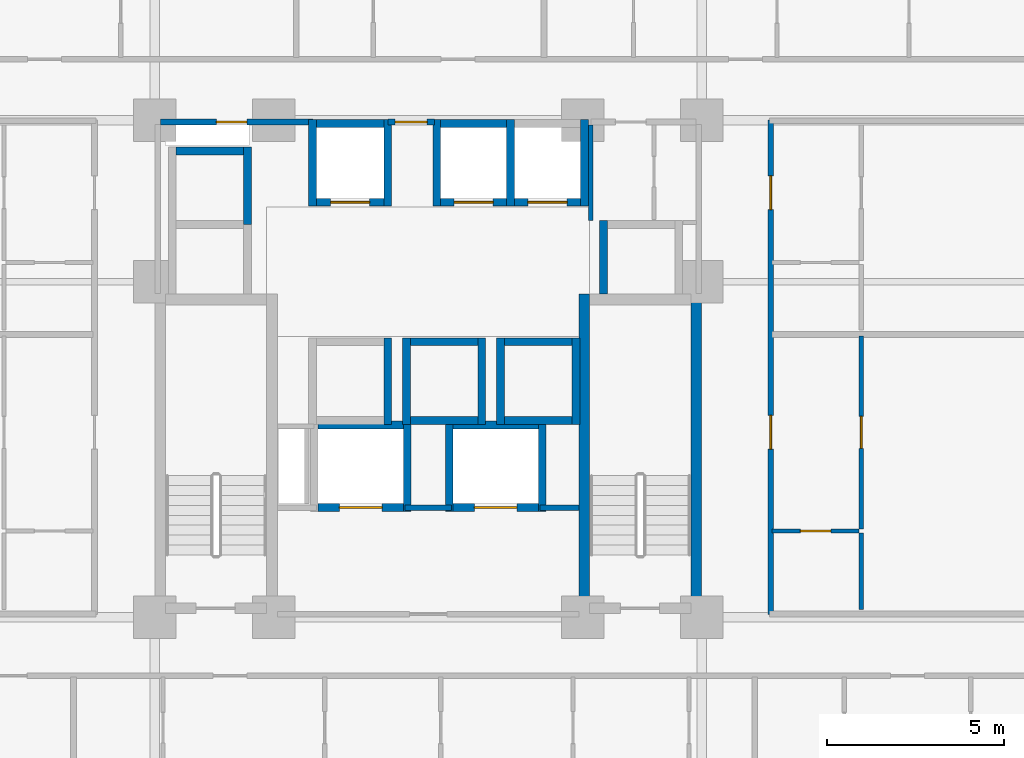
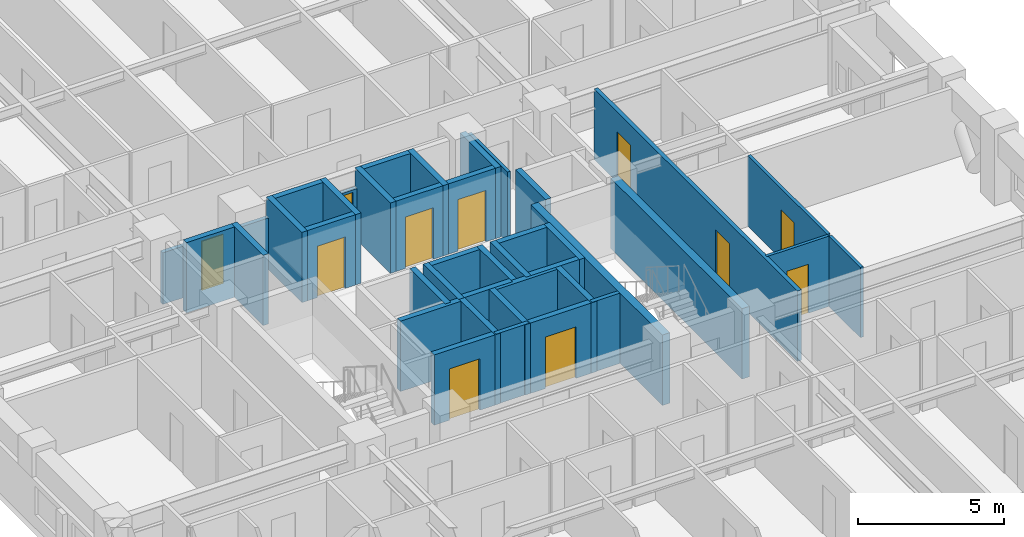
# One storey, part 5 of 13: 40 walls, 11 doors, 11 openings.
"""IFC4 building model written with IfcOpenShell, lengths in metres."""

from ifc_helpers import new_model, si_unit, derived_unit, direction, frame, frame_2d, origin, place, context, subcontext, project, spatial, rectangle, extrude, material, layer, layer_set, type_object, element, fill, save


model = new_model("IFC4")

# Units and contexts
model_context = context("Model", 3, precision=1e-05, world=origin(), true_north=direction((0.0, 1.0)))
body_context = subcontext(model_context, "Body", "Model", "MODEL_VIEW")
ifc_project = project(units=[si_unit("LENGTHUNIT", "METRE"), si_unit("AREAUNIT", "SQUARE_METRE"), si_unit("VOLUMEUNIT", "CUBIC_METRE"), si_unit("PLANEANGLEUNIT", "RADIAN"), si_unit("MASSUNIT", "GRAM", prefix="KILO"), derived_unit("THERMALTRANSMITTANCEUNIT", [(si_unit("MASSUNIT", "GRAM", prefix="KILO"), 1), (si_unit("TIMEUNIT", "SECOND"), -3), (si_unit("THERMODYNAMICTEMPERATUREUNIT", "KELVIN"), -1)])], contexts=[model_context])

# Site, building, storey
site_placement = place(None, origin())
site = spatial("IfcSite", under=ifc_project, at=site_placement, CompositionType="ELEMENT")
building_placement = place(site_placement, origin())
building = spatial("IfcBuilding", under=site, at=building_placement, Name="Korrvale Station Residences", CompositionType="ELEMENT")
storey_placement = place(building_placement, frame((0.0, 0.0, 32.199951171875)))
storey = spatial("IfcBuildingStorey", under=building, at=storey_placement, Name="L07", CompositionType="ELEMENT", Elevation=32.199951171875)

# Walls
ifc_material_1 = material(Name="Concrete C70/85", Category="concrete")
ifc_layer_1 = layer(ifc_material_1, 0.300048828125, Name="Concrete C70/85")
ifc_layer_set_1 = layer_set([ifc_layer_1], Name="Concrete C70/85")
wall_type_1 = type_object("IfcWallType", Name="WAL-CORE-300-C70", PredefinedType="SHEAR", material=ifc_layer_set_1)
for number, where, z_axis, x_axis, name in (
    (1, (29.89990234375, 15.10009765625, 0.0), (0.0, 0.0, 1.0), (0.0, 1.0, 0.0), "L07 ST-2 Core Shear Wall West"),
    (2, (33.050048828125, 15.10009765625, 0.0), (0.0, 0.0, 1.0), (0.0, 1.0, 0.0), "L07 ST-2 Core Shear Wall East"),
):
    element("IfcWall", number, at=place(storey_placement, frame(where, z_axis=z_axis, x_axis=x_axis)), inside=storey, type_object=wall_type_1, Name=name, PredefinedType="SHEAR", context=body_context, shape_type="SweptSolid", body=[
        extrude(rectangle(XDim=9.0, YDim=0.300048828125, at=frame_2d((4.5, 0.0))), origin(), (0.0, 0.0, 1.0), 2.93994140625),
    ])
ifc_material_2 = material(Name="Acoustic steel-stud gypsum board partition", Category="steel")
ifc_layer_2 = layer(ifc_material_2, 0.1201171875, Name="Acoustic steel-stud gypsum board partition")
ifc_layer_set_2 = layer_set([ifc_layer_2], Name="Acoustic steel-stud gypsum board partition")
wall_type_2 = type_object("IfcWallType", Name="WAL-PART-125", PredefinedType="PARTITIONING", material=ifc_layer_set_2)
wall_1_placement = place(storey_placement, frame((30.080078125, 26.179931640625, 0.0), z_axis=(0.0, 0.0, 1.0), x_axis=(0.0, 1.0, 0.0)))
element("IfcWall", 3, at=wall_1_placement, inside=storey, type_object=wall_type_2, Name="L07 Core Partition CW-CS-W", PredefinedType="PARTITIONING", context=body_context, shape_type="SweptSolid", body=[
    extrude(rectangle(XDim=2.68017578125, YDim=0.1201171875, at=frame_2d((1.340087890625, 0.0))), origin(), (0.0, 0.0, 1.0), 2.93994140625),
])

# Wall, opening, door
wall_2_placement = place(storey_placement, frame((35.18994140625, 17.428955078125, 0.0), z_axis=(0.0, 0.0, 1.0), x_axis=(1.0, 0.0, 0.0)))
wall_2 = element("IfcWall", 4, at=wall_2_placement, inside=storey, type_object=wall_type_2, Name="L07 Suite Partition U09-H01", PredefinedType="PARTITIONING", context=body_context, shape_type="SweptSolid", body=[
    extrude(rectangle(XDim=2.449951171875, YDim=0.1201171875, at=frame_2d((1.22509765625, 0.0))), origin(), (0.0, 0.0, 1.0), 2.93994140625),
])
opening_1_placement = place(wall_2_placement, frame((0.794921875, 0.0, 0.0)))
opening_1 = element("IfcOpeningElement", 5, at=opening_1_placement, cuts=wall_2, Name="Opening DB-860", PredefinedType="OPENING", context=body_context, shape_type="SweptSolid", body=[
    extrude(rectangle(XDim=0.860107421875, YDim=2.050048828125, at=frame_2d((0.43017578125, 1.02490234375))), frame((0.0, 0.070068359375, 0.0), z_axis=(0.0, -1.0, 0.0), x_axis=(1.0, 0.0, 0.0)), (0.0, 0.0, 1.0), 0.14013671875),
])
ifc_material_3 = material(Name="Moisture-resistant solid-core bathroom door", Category="timber")
door_type_1 = type_object("IfcDoorType", Name="DR-BATH-860", OperationType="NOTDEFINED", PredefinedType="DOOR", material=ifc_material_3)
door_1_placement = place(opening_1_placement, origin())
door_1 = element("IfcDoor", 6, at=door_1_placement, inside=storey, type_object=door_type_1, Name="L07 Apartment 1BR L07-U09 Bathroom Door", OperationType="SINGLE_SWING_RIGHT", OverallHeight=2.050048828125, OverallWidth=0.860107421875, PredefinedType="DOOR", context=body_context, shape_type="SweptSolid", body=[
    extrude(rectangle(XDim=0.860107421875, YDim=2.050048828125, at=frame_2d((0.43017578125, 1.02490234375))), frame((0.0, 0.02490234375, 0.0), z_axis=(0.0, -1.0, 0.0), x_axis=(1.0, 0.0, 0.0)), (0.0, 0.0, 1.0), 0.050048828125),
])
fill(opening_1, door_1)

# Wall
wall_3_placement = place(storey_placement, frame((37.699951171875, 15.2099609375, 0.0), z_axis=(0.0, 0.0, 1.0), x_axis=(0.0, 1.0, 0.0)))
element("IfcWall", 7, at=wall_3_placement, inside=storey, type_object=wall_type_2, Name="L07 Suite Partition U09-V02", PredefinedType="PARTITIONING", context=body_context, shape_type="SweptSolid", body=[
    extrude(rectangle(XDim=2.158935546875, YDim=0.1201171875, at=frame_2d((1.07958984375, 0.0))), origin(), (0.0, 0.0, 1.0), 2.93994140625),
])

# Wall, opening, door
wall_4_placement = place(storey_placement, frame((37.699951171875, 17.489013671875, 0.0), z_axis=(0.0, 0.0, 1.0), x_axis=(0.0, 1.0, 0.0)))
wall_4 = element("IfcWall", 8, at=wall_4_placement, inside=storey, type_object=wall_type_2, Name="L07 Suite Partition U09-V12", PredefinedType="PARTITIONING", context=body_context, shape_type="SweptSolid", body=[
    extrude(rectangle(XDim=5.43310546875, YDim=0.1201171875, at=frame_2d((2.716552734375, 0.0))), origin(), (0.0, 0.0, 1.0), 2.93994140625),
])
opening_2_placement = place(wall_4_placement, frame((2.26611328125, 0.0, 0.0)))
opening_2 = element("IfcOpeningElement", 9, at=opening_2_placement, cuts=wall_4, Name="Opening DI-900", PredefinedType="OPENING", context=body_context, shape_type="SweptSolid", body=[
    extrude(rectangle(XDim=0.89990234375, YDim=2.050048828125, at=frame_2d((0.449951171875, 1.02490234375))), frame((0.0, 0.070068359375, 0.0), z_axis=(0.0, -1.0, 0.0), x_axis=(1.0, 0.0, 0.0)), (0.0, 0.0, 1.0), 0.14013671875),
])
ifc_material_4 = material(Name="Painted solid-core timber interior room door", Category="wood")
door_type_2 = type_object("IfcDoorType", Name="DR-INT-900", OperationType="NOTDEFINED", PredefinedType="DOOR", material=ifc_material_4)
door_2_placement = place(opening_2_placement, origin())
door_2 = element("IfcDoor", 10, at=door_2_placement, inside=storey, type_object=door_type_2, Name="L07 Apartment 1BR L07-U09 Kitchen Door", OperationType="SINGLE_SWING_LEFT", OverallHeight=2.050048828125, OverallWidth=0.89990234375, PredefinedType="DOOR", context=body_context, shape_type="SweptSolid", body=[
    extrude(rectangle(XDim=0.89990234375, YDim=2.050048828125, at=frame_2d((0.449951171875, 1.02490234375))), frame((0.0, 0.02490234375, 0.0), z_axis=(0.0, -1.0, 0.0), x_axis=(1.0, 0.0, 0.0)), (0.0, 0.0, 1.0), 0.050048828125),
])
fill(opening_2, door_2)

# Walls
ifc_material_5 = material(Name="Fire-rated twin-stud gypsum and mineral wool shaftwall assembly", Category="gypsum")
ifc_layer_3 = layer(ifc_material_5, 0.159912109375, Name="Fire-rated twin-stud gypsum and mineral wool shaftwall assembly")
ifc_layer_set_3 = layer_set([ifc_layer_3], Name="Fire-rated twin-stud gypsum and mineral wool shaftwall assembly")
wall_type_3 = type_object("IfcWallType", Name="WAL-PART-200", PredefinedType="PARTITIONING", material=ifc_layer_set_3)
wall_5_placement = place(storey_placement, frame((24.85009765625, 18.080078125, 0.0), z_axis=(0.0, 0.0, 1.0), x_axis=(1.0, 0.0, 0.0)))
element("IfcWall", 11, at=wall_5_placement, inside=storey, type_object=wall_type_3, Name="L07 Core Partition CW-FFL-N2", PredefinedType="PARTITIONING", context=body_context, shape_type="SweptSolid", body=[
    extrude(rectangle(XDim=1.2998046875, YDim=0.159912109375, at=frame_2d((0.64990234375, 0.0))), origin(), (0.0, 0.0, 1.0), 2.93994140625),
])
wall_6_placement = place(storey_placement, frame((28.64990234375, 18.080078125, 0.0), z_axis=(0.0, 0.0, 1.0), x_axis=(1.0, 0.0, 0.0)))
element("IfcWall", 12, at=wall_6_placement, inside=storey, type_object=wall_type_3, Name="L07 Core Partition CW-FFL-N3", PredefinedType="PARTITIONING", context=body_context, shape_type="SweptSolid", body=[
    extrude(rectangle(XDim=1.10009765625, YDim=0.159912109375, at=frame_2d((0.550048828125, 0.0))), origin(), (0.0, 0.0, 1.0), 2.93994140625),
])

# Wall, opening, door
wall_7_placement = place(storey_placement, frame((24.360107421875, 28.949951171875, 0.0), z_axis=(0.0, 0.0, 1.0), x_axis=(1.0, 0.0, 0.0)))
wall_7 = element("IfcWall", 13, at=wall_7_placement, inside=storey, type_object=wall_type_3, Name="L07 Core Partition CW-LLOB-N", PredefinedType="PARTITIONING", context=body_context, shape_type="SweptSolid", body=[
    extrude(rectangle(XDim=1.31982421875, YDim=0.159912109375, at=frame_2d((0.659912109375, 0.0))), origin(), (0.0, 0.0, 1.0), 2.155029296875),
])
opening_3_placement = place(wall_7_placement, frame((0.2099609375, 0.0, 0.0)))
opening_3 = element("IfcOpeningElement", 14, at=opening_3_placement, cuts=wall_7, Name="Opening DI-900", PredefinedType="OPENING", context=body_context, shape_type="SweptSolid", body=[
    extrude(rectangle(XDim=0.89990234375, YDim=2.050048828125, at=frame_2d((0.449951171875, 1.02490234375))), frame((0.0, 0.08984375, 0.0), z_axis=(0.0, -1.0, 0.0), x_axis=(1.0, 0.0, 0.0)), (0.0, 0.0, 1.0), 0.179931640625),
])
door_3_placement = place(opening_3_placement, origin())
door_3 = element("IfcDoor", 15, at=door_3_placement, inside=storey, type_object=door_type_2, Name="L07 Central Hallway North Passage Door", OperationType="SINGLE_SWING_RIGHT", OverallHeight=2.050048828125, OverallWidth=0.89990234375, PredefinedType="DOOR", context=body_context, shape_type="SweptSolid", body=[
    extrude(rectangle(XDim=0.89990234375, YDim=2.050048828125, at=frame_2d((0.449951171875, 1.02490234375))), frame((0.0, 0.02490234375, 0.0), z_axis=(0.0, -1.0, 0.0), x_axis=(1.0, 0.0, 0.0)), (0.0, 0.0, 1.0), 0.050048828125),
])
fill(opening_3, door_3)

wall_8_placement = place(storey_placement, frame((17.9599609375, 28.949951171875, 0.0), z_axis=(0.0, 0.0, 1.0), x_axis=(1.0, 0.0, 0.0)))
wall_8 = element("IfcWall", 16, at=wall_8_placement, inside=storey, type_object=wall_type_3, Name="L07 Core Partition CW-NW", PredefinedType="PARTITIONING", context=body_context, shape_type="SweptSolid", body=[
    extrude(rectangle(XDim=4.2900390625, YDim=0.159912109375, at=frame_2d((2.14501953125, 0.0))), origin(), (0.0, 0.0, 1.0), 2.155029296875),
])
opening_4_placement = place(wall_8_placement, frame((1.570068359375, 0.0, 0.0)))
opening_4 = element("IfcOpeningElement", 17, at=opening_4_placement, cuts=wall_8, Name="Opening DB-860", PredefinedType="OPENING", context=body_context, shape_type="SweptSolid", body=[
    extrude(rectangle(XDim=0.860107421875, YDim=2.050048828125, at=frame_2d((0.43017578125, 1.02490234375))), frame((0.0, 0.08984375, 0.0), z_axis=(0.0, -1.0, 0.0), x_axis=(1.0, 0.0, 0.0)), (0.0, 0.0, 1.0), 0.179931640625),
])
door_4_placement = place(opening_4_placement, origin())
door_4 = element("IfcDoor", 18, at=door_4_placement, inside=storey, type_object=door_type_1, Name="L07 Electrical Riser Access Door", OperationType="SINGLE_SWING_LEFT", OverallHeight=2.050048828125, OverallWidth=0.860107421875, PredefinedType="DOOR", context=body_context, shape_type="SweptSolid", body=[
    extrude(rectangle(XDim=0.860107421875, YDim=2.050048828125, at=frame_2d((0.43017578125, 1.02490234375))), frame((0.0, 0.02490234375, 0.0), z_axis=(0.0, -1.0, 0.0), x_axis=(1.0, 0.0, 0.0)), (0.0, 0.0, 1.0), 0.050048828125),
])
fill(opening_4, door_4)

# Wall, openings, doors
wall_9_placement = place(storey_placement, frame((35.14990234375, 15.070068359375, 0.0), z_axis=(0.0, 0.0, 1.0), x_axis=(0.0, 1.0, 0.0)))
wall_9 = element("IfcWall", 19, at=wall_9_placement, inside=storey, type_object=wall_type_3, Name="L07 Rated Corridor Wall E", PredefinedType="PARTITIONING", context=body_context, shape_type="SweptSolid", body=[
    extrude(rectangle(XDim=13.929931640625, YDim=0.159912109375, at=frame_2d((6.96484375, 0.0))), origin(), (0.0, 0.0, 1.0), 2.93994140625),
])
opening_5_placement = place(wall_9_placement, frame((4.660888671875, 0.0, 0.0)))
opening_5 = element("IfcOpeningElement", 20, at=opening_5_placement, cuts=wall_9, Name="Opening UD-950", PredefinedType="OPENING", context=body_context, shape_type="SweptSolid", body=[
    extrude(rectangle(XDim=0.949951171875, YDim=2.10009765625, at=frame_2d((0.47509765625, 1.050048828125))), frame((0.0, 0.08984375, 0.0), z_axis=(0.0, -1.0, 0.0), x_axis=(1.0, 0.0, 0.0)), (0.0, 0.0, 1.0), 0.179931640625),
])
opening_6_placement = place(wall_9_placement, frame((11.410888671875, 0.0, 0.0)))
opening_6 = element("IfcOpeningElement", 21, at=opening_6_placement, cuts=wall_9, Name="Opening UD-950", PredefinedType="OPENING", context=body_context, shape_type="SweptSolid", body=[
    extrude(rectangle(XDim=0.949951171875, YDim=2.10009765625, at=frame_2d((0.47509765625, 1.050048828125))), frame((0.0, 0.08984375, 0.0), z_axis=(0.0, -1.0, 0.0), x_axis=(1.0, 0.0, 0.0)), (0.0, 0.0, 1.0), 0.179931640625),
])
ifc_material_6 = material(Name="Solid-core acoustic oak apartment entrance door", Category="timber")
door_type_3 = type_object("IfcDoorType", Name="DR-UNIT-950", OperationType="NOTDEFINED", PredefinedType="DOOR", material=ifc_material_6)
door_5_placement = place(opening_5_placement, origin())
door_5 = element("IfcDoor", 22, at=door_5_placement, inside=storey, type_object=door_type_3, Name="L07 Apartment L07-U09 Entrance Door", OperationType="SINGLE_SWING_RIGHT", OverallHeight=2.10009765625, OverallWidth=0.949951171875, PredefinedType="DOOR", context=body_context, shape_type="SweptSolid", body=[
    extrude(rectangle(XDim=0.949951171875, YDim=2.10009765625, at=frame_2d((0.47509765625, 1.050048828125))), frame((0.0, 0.02490234375, 0.0), z_axis=(0.0, -1.0, 0.0), x_axis=(1.0, 0.0, 0.0)), (0.0, 0.0, 1.0), 0.050048828125),
])
fill(opening_5, door_5)
door_6_placement = place(opening_6_placement, origin())
door_6 = element("IfcDoor", 23, at=door_6_placement, inside=storey, type_object=door_type_3, Name="L07 Apartment L07-U10 Entrance Door", OperationType="SINGLE_SWING_LEFT", OverallHeight=2.10009765625, OverallWidth=0.949951171875, PredefinedType="DOOR", context=body_context, shape_type="SweptSolid", body=[
    extrude(rectangle(XDim=0.949951171875, YDim=2.10009765625, at=frame_2d((0.47509765625, 1.050048828125))), frame((0.0, 0.02490234375, 0.0), z_axis=(0.0, -1.0, 0.0), x_axis=(1.0, 0.0, 0.0)), (0.0, 0.0, 1.0), 0.050048828125),
])
fill(opening_6, door_6)

# Wall, opening, door
ifc_layer_4 = layer(ifc_material_1, 0.219970703125, Name="Concrete C70/85")
ifc_layer_set_4 = layer_set([ifc_layer_4], Name="Concrete C70/85")
wall_type_4 = type_object("IfcWallType", Name="WAL-SHAFT-220-C70", PredefinedType="SHEAR", material=ifc_layer_set_4)
wall_10_placement = place(storey_placement, frame((22.35009765625, 26.68994140625, 0.0), z_axis=(0.0, 0.0, 1.0), x_axis=(1.0, 0.0, 0.0)))
wall_10 = element("IfcWall", 24, at=wall_10_placement, inside=storey, type_object=wall_type_4, Name="L07 Elevator PL-1 Hoistway Wall South", PredefinedType="SHEAR", context=body_context, shape_type="SweptSolid", body=[
    extrude(rectangle(XDim=1.89990234375, YDim=0.219970703125, at=frame_2d((0.949951171875, 0.0))), origin(), (0.0, 0.0, 1.0), 2.93994140625),
])
opening_7_placement = place(wall_10_placement, frame((0.39990234375, 0.0, 0.0)))
opening_7 = element("IfcOpeningElement", 25, at=opening_7_placement, cuts=wall_10, Name="Opening LD-1100", PredefinedType="OPENING", context=body_context, shape_type="SweptSolid", body=[
    extrude(rectangle(XDim=1.10009765625, YDim=2.14990234375, at=frame_2d((0.550048828125, 1.074951171875))), frame((0.0, 0.1201171875, 0.0), z_axis=(0.0, -1.0, 0.0), x_axis=(1.0, 0.0, 0.0)), (0.0, 0.0, 1.0), 0.239990234375),
])
ifc_material_7 = material(Name="Brushed stainless-steel elevator landing sliding door", Category="steel")
door_type_4 = type_object("IfcDoorType", Name="DR-LIFT-1100", OperationType="SLIDING_TO_LEFT", PredefinedType="DOOR", material=ifc_material_7)
door_7_placement = place(opening_7_placement, origin())
door_7 = element("IfcDoor", 26, at=door_7_placement, inside=storey, type_object=door_type_4, Name="L07 Elevator PL-1 Sliding Landing Door", OperationType="SLIDING_TO_LEFT", OverallHeight=2.14990234375, OverallWidth=1.10009765625, PredefinedType="DOOR", context=body_context, shape_type="SweptSolid", body=[
    extrude(rectangle(XDim=1.10009765625, YDim=2.14990234375, at=frame_2d((0.550048828125, 1.074951171875))), frame((0.0, 0.02490234375, 0.0), z_axis=(0.0, -1.0, 0.0), x_axis=(1.0, 0.0, 0.0)), (0.0, 0.0, 1.0), 0.050048828125),
])
fill(opening_7, door_7)

# Walls
wall_11_placement = place(storey_placement, frame((22.35009765625, 28.909912109375, 0.0), z_axis=(0.0, 0.0, 1.0), x_axis=(1.0, 0.0, 0.0)))
element("IfcWall", 27, at=wall_11_placement, inside=storey, type_object=wall_type_4, Name="L07 Elevator PL-1 Hoistway Wall North", PredefinedType="SHEAR", context=body_context, shape_type="SweptSolid", body=[
    extrude(rectangle(XDim=1.89990234375, YDim=0.219970703125, at=frame_2d((0.949951171875, 0.0))), origin(), (0.0, 0.0, 1.0), 2.93994140625),
])
for number, where, z_axis, x_axis, name in (
    (28, (22.239990234375, 26.580078125, 0.0), (0.0, 0.0, 1.0), (0.0, 1.0, 0.0), "L07 Elevator PL-1 Hoistway Wall West"),
    (29, (24.360107421875, 26.580078125, 0.0), (0.0, 0.0, 1.0), (0.0, 1.0, 0.0), "L07 Elevator PL-1 Hoistway Wall East"),
):
    element("IfcWall", number, at=place(storey_placement, frame(where, z_axis=z_axis, x_axis=x_axis)), inside=storey, type_object=wall_type_4, Name=name, PredefinedType="SHEAR", context=body_context, shape_type="SweptSolid", body=[
        extrude(rectangle(XDim=2.43994140625, YDim=0.219970703125, at=frame_2d((1.219970703125, 0.0))), origin(), (0.0, 0.0, 1.0), 2.93994140625),
    ])

# Wall, opening, door
wall_12_placement = place(storey_placement, frame((25.85009765625, 26.68994140625, 0.0), z_axis=(0.0, 0.0, 1.0), x_axis=(1.0, 0.0, 0.0)))
wall_12 = element("IfcWall", 30, at=wall_12_placement, inside=storey, type_object=wall_type_4, Name="L07 Elevator PL-2 Hoistway Wall South", PredefinedType="SHEAR", context=body_context, shape_type="SweptSolid", body=[
    extrude(rectangle(XDim=1.85986328125, YDim=0.219970703125, at=frame_2d((0.929931640625, 0.0))), origin(), (0.0, 0.0, 1.0), 2.93994140625),
])
opening_8_placement = place(wall_12_placement, frame((0.3798828125, 0.0, 0.0)))
opening_8 = element("IfcOpeningElement", 31, at=opening_8_placement, cuts=wall_12, Name="Opening LD-1100", PredefinedType="OPENING", context=body_context, shape_type="SweptSolid", body=[
    extrude(rectangle(XDim=1.10009765625, YDim=2.14990234375, at=frame_2d((0.550048828125, 1.074951171875))), frame((0.0, 0.1201171875, 0.0), z_axis=(0.0, -1.0, 0.0), x_axis=(1.0, 0.0, 0.0)), (0.0, 0.0, 1.0), 0.239990234375),
])
door_8_placement = place(opening_8_placement, origin())
door_8 = element("IfcDoor", 32, at=door_8_placement, inside=storey, type_object=door_type_4, Name="L07 Elevator PL-2 Sliding Landing Door", OperationType="SLIDING_TO_LEFT", OverallHeight=2.14990234375, OverallWidth=1.10009765625, PredefinedType="DOOR", context=body_context, shape_type="SweptSolid", body=[
    extrude(rectangle(XDim=1.10009765625, YDim=2.14990234375, at=frame_2d((0.550048828125, 1.074951171875))), frame((0.0, 0.02490234375, 0.0), z_axis=(0.0, -1.0, 0.0), x_axis=(1.0, 0.0, 0.0)), (0.0, 0.0, 1.0), 0.050048828125),
])
fill(opening_8, door_8)

# Walls
wall_13_placement = place(storey_placement, frame((25.85009765625, 28.909912109375, 0.0), z_axis=(0.0, 0.0, 1.0), x_axis=(1.0, 0.0, 0.0)))
element("IfcWall", 33, at=wall_13_placement, inside=storey, type_object=wall_type_4, Name="L07 Elevator PL-2 Hoistway Wall North", PredefinedType="SHEAR", context=body_context, shape_type="SweptSolid", body=[
    extrude(rectangle(XDim=1.85986328125, YDim=0.219970703125, at=frame_2d((0.929931640625, 0.0))), origin(), (0.0, 0.0, 1.0), 2.93994140625),
])
for number, where, z_axis, x_axis, name in (
    (34, (25.739990234375, 26.580078125, 0.0), (0.0, 0.0, 1.0), (0.0, 1.0, 0.0), "L07 Elevator PL-2 Hoistway Wall West"),
    (35, (27.820068359375, 26.580078125, 0.0), (0.0, 0.0, 1.0), (0.0, 1.0, 0.0), "L07 Elevator PL-2 Hoistway Wall East"),
):
    element("IfcWall", number, at=place(storey_placement, frame(where, z_axis=z_axis, x_axis=x_axis)), inside=storey, type_object=wall_type_4, Name=name, PredefinedType="SHEAR", context=body_context, shape_type="SweptSolid", body=[
        extrude(rectangle(XDim=2.43994140625, YDim=0.219970703125, at=frame_2d((1.219970703125, 0.0))), origin(), (0.0, 0.0, 1.0), 2.93994140625),
    ])

# Wall, opening, door
wall_14_placement = place(storey_placement, frame((27.929931640625, 26.68994140625, 0.0), z_axis=(0.0, 0.0, 1.0), x_axis=(1.0, 0.0, 0.0)))
wall_14 = element("IfcWall", 36, at=wall_14_placement, inside=storey, type_object=wall_type_4, Name="L07 Elevator PL-3 Hoistway Wall South", PredefinedType="SHEAR", context=body_context, shape_type="SweptSolid", body=[
    extrude(rectangle(XDim=1.860107421875, YDim=0.219970703125, at=frame_2d((0.93017578125, 0.0))), origin(), (0.0, 0.0, 1.0), 2.93994140625),
])
opening_9_placement = place(wall_14_placement, frame((0.3798828125, 0.0, 0.0)))
opening_9 = element("IfcOpeningElement", 37, at=opening_9_placement, cuts=wall_14, Name="Opening LD-1100", PredefinedType="OPENING", context=body_context, shape_type="SweptSolid", body=[
    extrude(rectangle(XDim=1.10009765625, YDim=2.14990234375, at=frame_2d((0.550048828125, 1.074951171875))), frame((0.0, 0.1201171875, 0.0), z_axis=(0.0, -1.0, 0.0), x_axis=(1.0, 0.0, 0.0)), (0.0, 0.0, 1.0), 0.239990234375),
])
door_9_placement = place(opening_9_placement, origin())
door_9 = element("IfcDoor", 38, at=door_9_placement, inside=storey, type_object=door_type_4, Name="L07 Elevator PL-3 Sliding Landing Door", OperationType="SLIDING_TO_LEFT", OverallHeight=2.14990234375, OverallWidth=1.10009765625, PredefinedType="DOOR", context=body_context, shape_type="SweptSolid", body=[
    extrude(rectangle(XDim=1.10009765625, YDim=2.14990234375, at=frame_2d((0.550048828125, 1.074951171875))), frame((0.0, 0.02490234375, 0.0), z_axis=(0.0, -1.0, 0.0), x_axis=(1.0, 0.0, 0.0)), (0.0, 0.0, 1.0), 0.050048828125),
])
fill(opening_9, door_9)

# Walls
wall_15_placement = place(storey_placement, frame((29.89990234375, 26.580078125, 0.0), z_axis=(0.0, 0.0, 1.0), x_axis=(0.0, 1.0, 0.0)))
element("IfcWall", 39, at=wall_15_placement, inside=storey, type_object=wall_type_4, Name="L07 Elevator PL-3 Hoistway Wall East", PredefinedType="SHEAR", context=body_context, shape_type="SweptSolid", body=[
    extrude(rectangle(XDim=2.43994140625, YDim=0.219970703125, at=frame_2d((1.219970703125, 0.0))), origin(), (0.0, 0.0, 1.0), 2.93994140625),
])
wall_16_placement = place(storey_placement, frame((24.360107421875, 20.429931640625, 0.0), z_axis=(0.0, 0.0, 1.0), x_axis=(0.0, 1.0, 0.0)))
element("IfcWall", 40, at=wall_16_placement, inside=storey, type_object=wall_type_4, Name="L07 Elevator PM-1 Hoistway Wall East", PredefinedType="SHEAR", context=body_context, shape_type="SweptSolid", body=[
    extrude(rectangle(XDim=2.440185546875, YDim=0.219970703125, at=frame_2d((1.22021484375, 0.0))), origin(), (0.0, 0.0, 1.0), 2.93994140625),
])
for number, where, z_axis, x_axis, name in (
    (41, (25.0, 20.5400390625, 0.0), (0.0, 0.0, 1.0), (1.0, 0.0, 0.0), "L07 Elevator PM-2 Hoistway Wall South"),
    (42, (25.0, 22.760009765625, 0.0), (0.0, 0.0, 1.0), (1.0, 0.0, 0.0), "L07 Elevator PM-2 Hoistway Wall North"),
):
    element("IfcWall", number, at=place(storey_placement, frame(where, z_axis=z_axis, x_axis=x_axis)), inside=storey, type_object=wall_type_4, Name=name, PredefinedType="SHEAR", context=body_context, shape_type="SweptSolid", body=[
        extrude(rectangle(XDim=1.89990234375, YDim=0.219970703125, at=frame_2d((0.949951171875, 0.0))), origin(), (0.0, 0.0, 1.0), 2.93994140625),
    ])
for number, where, z_axis, x_axis, name in (
    (43, (24.889892578125, 20.429931640625, 0.0), (0.0, 0.0, 1.0), (0.0, 1.0, 0.0), "L07 Elevator PM-2 Hoistway Wall West"),
    (44, (27.010009765625, 20.429931640625, 0.0), (0.0, 0.0, 1.0), (0.0, 1.0, 0.0), "L07 Elevator PM-2 Hoistway Wall East"),
):
    element("IfcWall", number, at=place(storey_placement, frame(where, z_axis=z_axis, x_axis=x_axis)), inside=storey, type_object=wall_type_4, Name=name, PredefinedType="SHEAR", context=body_context, shape_type="SweptSolid", body=[
        extrude(rectangle(XDim=2.440185546875, YDim=0.219970703125, at=frame_2d((1.22021484375, 0.0))), origin(), (0.0, 0.0, 1.0), 2.93994140625),
    ])
for number, where, z_axis, x_axis, name in (
    (45, (27.64990234375, 20.5400390625, 0.0), (0.0, 0.0, 1.0), (1.0, 0.0, 0.0), "L07 Elevator PM-3 Hoistway Wall South"),
    (46, (27.64990234375, 22.760009765625, 0.0), (0.0, 0.0, 1.0), (1.0, 0.0, 0.0), "L07 Elevator PM-3 Hoistway Wall North"),
):
    element("IfcWall", number, at=place(storey_placement, frame(where, z_axis=z_axis, x_axis=x_axis)), inside=storey, type_object=wall_type_4, Name=name, PredefinedType="SHEAR", context=body_context, shape_type="SweptSolid", body=[
        extrude(rectangle(XDim=1.900146484375, YDim=0.219970703125, at=frame_2d((0.9501953125, 0.0))), origin(), (0.0, 0.0, 1.0), 2.93994140625),
    ])
for number, where, z_axis, x_axis, name in (
    (47, (27.5400390625, 20.429931640625, 0.0), (0.0, 0.0, 1.0), (0.0, 1.0, 0.0), "L07 Elevator PM-3 Hoistway Wall West"),
    (48, (29.659912109375, 20.429931640625, 0.0), (0.0, 0.0, 1.0), (0.0, 1.0, 0.0), "L07 Elevator PM-3 Hoistway Wall East"),
):
    element("IfcWall", number, at=place(storey_placement, frame(where, z_axis=z_axis, x_axis=x_axis)), inside=storey, type_object=wall_type_4, Name=name, PredefinedType="SHEAR", context=body_context, shape_type="SweptSolid", body=[
        extrude(rectangle(XDim=2.440185546875, YDim=0.219970703125, at=frame_2d((1.22021484375, 0.0))), origin(), (0.0, 0.0, 1.0), 2.93994140625),
    ])
wall_17_placement = place(storey_placement, frame((18.39990234375, 28.1298828125, 0.0), z_axis=(0.0, 0.0, 1.0), x_axis=(1.0, 0.0, 0.0)))
element("IfcWall", 49, at=wall_17_placement, inside=storey, type_object=wall_type_4, Name="L07 Elevator PH-2 Hoistway Wall North", PredefinedType="SHEAR", context=body_context, shape_type="SweptSolid", body=[
    extrude(rectangle(XDim=1.900146484375, YDim=0.219970703125, at=frame_2d((0.9501953125, 0.0))), origin(), (0.0, 0.0, 1.0), 2.93994140625),
])
wall_18_placement = place(storey_placement, frame((20.409912109375, 26.06005859375, 0.0), z_axis=(0.0, 0.0, 1.0), x_axis=(0.0, 1.0, 0.0)))
element("IfcWall", 50, at=wall_18_placement, inside=storey, type_object=wall_type_4, Name="L07 Elevator PH-2 Hoistway Wall East", PredefinedType="SHEAR", context=body_context, shape_type="SweptSolid", body=[
    extrude(rectangle(XDim=2.179931640625, YDim=0.219970703125, at=frame_2d((1.08984375, 0.0))), origin(), (0.0, 0.0, 1.0), 2.93994140625),
])
wall_19_placement = place(storey_placement, frame((30.43994140625, 24.10009765625, 0.0), z_axis=(0.0, 0.0, 1.0), x_axis=(0.0, 1.0, 0.0)))
element("IfcWall", 51, at=wall_19_placement, inside=storey, type_object=wall_type_4, Name="L07 Elevator PH-3 Hoistway Wall West", PredefinedType="SHEAR", context=body_context, shape_type="SweptSolid", body=[
    extrude(rectangle(XDim=2.06982421875, YDim=0.219970703125, at=frame_2d((1.034912109375, 0.0))), origin(), (0.0, 0.0, 1.0), 2.93994140625),
])

# Wall, opening, door
wall_20_placement = place(storey_placement, frame((22.39990234375, 18.090087890625, 0.0), z_axis=(0.0, 0.0, 1.0), x_axis=(1.0, 0.0, 0.0)))
wall_20 = element("IfcWall", 52, at=wall_20_placement, inside=storey, type_object=wall_type_4, Name="L07 Elevator FFL-1 Hoistway Wall South", PredefinedType="SHEAR", context=body_context, shape_type="SweptSolid", body=[
    extrude(rectangle(XDim=2.400146484375, YDim=0.219970703125, at=frame_2d((1.2001953125, 0.0))), origin(), (0.0, 0.0, 1.0), 2.93994140625),
])
opening_10_placement = place(wall_20_placement, frame((0.60009765625, 0.0, 0.0)))
opening_10 = element("IfcOpeningElement", 53, at=opening_10_placement, cuts=wall_20, Name="Opening LD-FF1200", PredefinedType="OPENING", context=body_context, shape_type="SweptSolid", body=[
    extrude(rectangle(XDim=1.199951171875, YDim=2.14990234375, at=frame_2d((0.60009765625, 1.074951171875))), frame((0.0, 0.1201171875, 0.0), z_axis=(0.0, -1.0, 0.0), x_axis=(1.0, 0.0, 0.0)), (0.0, 0.0, 1.0), 0.239990234375),
])
ifc_material_8 = material(Name="Stainless-steel firefighter elevator landing sliding door", Category="steel")
door_type_5 = type_object("IfcDoorType", Name="DR-LIFT-FF1200", OperationType="SLIDING_TO_LEFT", PredefinedType="DOOR", material=ifc_material_8)
door_10_placement = place(opening_10_placement, origin())
door_10 = element("IfcDoor", 54, at=door_10_placement, inside=storey, type_object=door_type_5, Name="L07 Elevator FFL-1 Sliding Landing Door", OperationType="SLIDING_TO_LEFT", OverallHeight=2.14990234375, OverallWidth=1.199951171875, PredefinedType="DOOR", context=body_context, shape_type="SweptSolid", body=[
    extrude(rectangle(XDim=1.199951171875, YDim=2.14990234375, at=frame_2d((0.60009765625, 1.074951171875))), frame((0.0, 0.02490234375, 0.0), z_axis=(0.0, -1.0, 0.0), x_axis=(1.0, 0.0, 0.0)), (0.0, 0.0, 1.0), 0.050048828125),
])
fill(opening_10, door_10)

# Walls
wall_21_placement = place(storey_placement, frame((22.39990234375, 20.409912109375, 0.0), z_axis=(0.0, 0.0, 1.0), x_axis=(1.0, 0.0, 0.0)))
element("IfcWall", 55, at=wall_21_placement, inside=storey, type_object=wall_type_4, Name="L07 Elevator FFL-1 Hoistway Wall North", PredefinedType="SHEAR", context=body_context, shape_type="SweptSolid", body=[
    extrude(rectangle(XDim=2.400146484375, YDim=0.219970703125, at=frame_2d((1.2001953125, 0.0))), origin(), (0.0, 0.0, 1.0), 2.93994140625),
])
wall_22_placement = place(storey_placement, frame((24.909912109375, 17.97998046875, 0.0), z_axis=(0.0, 0.0, 1.0), x_axis=(0.0, 1.0, 0.0)))
element("IfcWall", 56, at=wall_22_placement, inside=storey, type_object=wall_type_4, Name="L07 Elevator FFL-1 Hoistway Wall East", PredefinedType="SHEAR", context=body_context, shape_type="SweptSolid", body=[
    extrude(rectangle(XDim=2.5400390625, YDim=0.219970703125, at=frame_2d((1.27001953125, 0.0))), origin(), (0.0, 0.0, 1.0), 2.93994140625),
])

# Wall, opening, door
wall_23_placement = place(storey_placement, frame((26.199951171875, 18.090087890625, 0.0), z_axis=(0.0, 0.0, 1.0), x_axis=(1.0, 0.0, 0.0)))
wall_23 = element("IfcWall", 57, at=wall_23_placement, inside=storey, type_object=wall_type_4, Name="L07 Elevator FFL-2 Hoistway Wall South", PredefinedType="SHEAR", context=body_context, shape_type="SweptSolid", body=[
    extrude(rectangle(XDim=2.400146484375, YDim=0.219970703125, at=frame_2d((1.2001953125, 0.0))), origin(), (0.0, 0.0, 1.0), 2.93994140625),
])
opening_11_placement = place(wall_23_placement, frame((0.60009765625, 0.0, 0.0)))
opening_11 = element("IfcOpeningElement", 58, at=opening_11_placement, cuts=wall_23, Name="Opening LD-FF1200", PredefinedType="OPENING", context=body_context, shape_type="SweptSolid", body=[
    extrude(rectangle(XDim=1.199951171875, YDim=2.14990234375, at=frame_2d((0.60009765625, 1.074951171875))), frame((0.0, 0.1201171875, 0.0), z_axis=(0.0, -1.0, 0.0), x_axis=(1.0, 0.0, 0.0)), (0.0, 0.0, 1.0), 0.239990234375),
])
door_11_placement = place(opening_11_placement, origin())
door_11 = element("IfcDoor", 59, at=door_11_placement, inside=storey, type_object=door_type_5, Name="L07 Elevator FFL-2 Sliding Landing Door", OperationType="SLIDING_TO_LEFT", OverallHeight=2.14990234375, OverallWidth=1.199951171875, PredefinedType="DOOR", context=body_context, shape_type="SweptSolid", body=[
    extrude(rectangle(XDim=1.199951171875, YDim=2.14990234375, at=frame_2d((0.60009765625, 1.074951171875))), frame((0.0, 0.02490234375, 0.0), z_axis=(0.0, -1.0, 0.0), x_axis=(1.0, 0.0, 0.0)), (0.0, 0.0, 1.0), 0.050048828125),
])
fill(opening_11, door_11)

# Walls
wall_24_placement = place(storey_placement, frame((26.199951171875, 20.409912109375, 0.0), z_axis=(0.0, 0.0, 1.0), x_axis=(1.0, 0.0, 0.0)))
element("IfcWall", 60, at=wall_24_placement, inside=storey, type_object=wall_type_4, Name="L07 Elevator FFL-2 Hoistway Wall North", PredefinedType="SHEAR", context=body_context, shape_type="SweptSolid", body=[
    extrude(rectangle(XDim=2.400146484375, YDim=0.219970703125, at=frame_2d((1.2001953125, 0.0))), origin(), (0.0, 0.0, 1.0), 2.93994140625),
])
for number, where, z_axis, x_axis, name in (
    (61, (26.090087890625, 17.97998046875, 0.0), (0.0, 0.0, 1.0), (0.0, 1.0, 0.0), "L07 Elevator FFL-2 Hoistway Wall West"),
    (62, (28.7099609375, 17.97998046875, 0.0), (0.0, 0.0, 1.0), (0.0, 1.0, 0.0), "L07 Elevator FFL-2 Hoistway Wall East"),
):
    element("IfcWall", number, at=place(storey_placement, frame(where, z_axis=z_axis, x_axis=x_axis)), inside=storey, type_object=wall_type_4, Name=name, PredefinedType="SHEAR", context=body_context, shape_type="SweptSolid", body=[
        extrude(rectangle(XDim=2.5400390625, YDim=0.219970703125, at=frame_2d((1.27001953125, 0.0))), origin(), (0.0, 0.0, 1.0), 2.93994140625),
    ])

save(model, "model.ifc")
